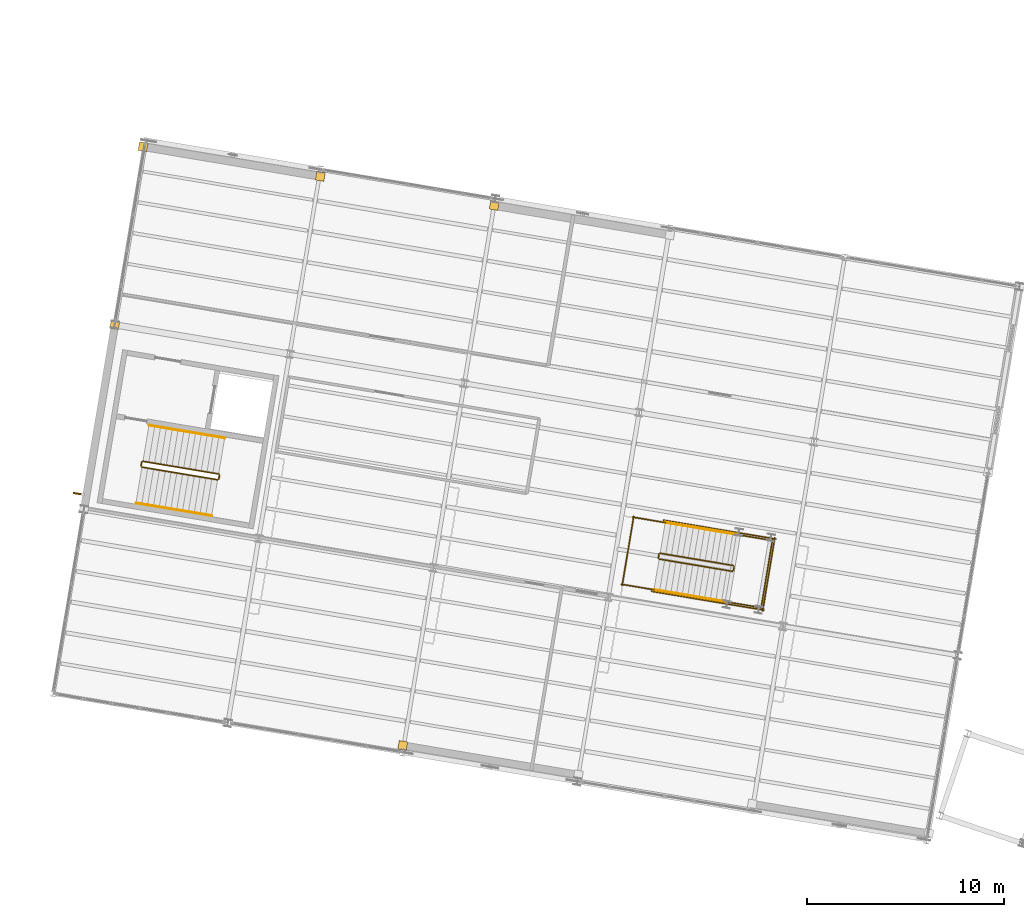
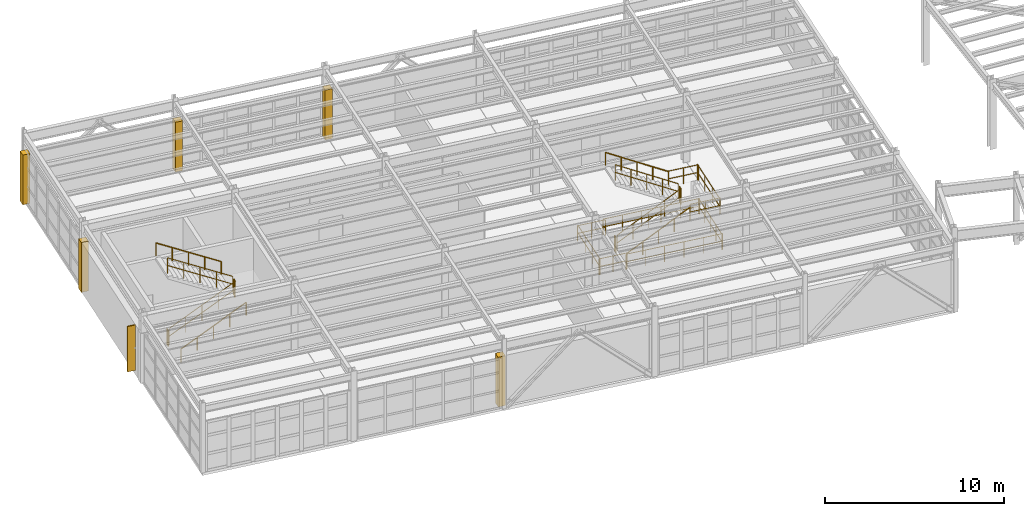
# One storey, part 106 of 109: 21 railings, 5 coverings, 1 shading device.
"""IFC4 building model written with IfcOpenShell, lengths in metres."""

import ifcopenshell
import ifcopenshell.guid

model = None  # the IFC model being written
_history = None  # IfcOwnerHistory: only IFC2X3 demands one
_inside = {}  # id of a spatial element -> (the spatial element, [elements in it])
_under = {}  # id of a project, library or spatial element -> (it, [spatial elements below it])
_declared = {}  # id of a project -> (the project, [libraries it declares])
_typed = {}  # id of a type object -> (the type object, [elements of that type])
_made_of = {}  # id of a material, layer set ... -> (it, [elements and type objects made of it])


def new_model(schema):
    """Start an empty IFC model of exactly this schema.

    Asked for "IFC4X3", IfcOpenShell would pick the latest addendum, in which some entities
    have other attributes; the version numbers below select the first issue.
    IFC2X3 requires an IfcOwnerHistory on every rooted entity: one is made here for all.
    """
    global model, _history
    if schema == "IFC4X3":
        model = ifcopenshell.file(schema_version=(4, 3, 0, 0))
    else:
        model = ifcopenshell.file(schema=schema)
    _inside.clear()
    _under.clear()
    _declared.clear()
    _typed.clear()
    _made_of.clear()
    _history = None
    if model.schema == "IFC2X3":
        org = make("IfcOrganization", Name="unknown")
        user = make(
            "IfcPersonAndOrganization",
            ThePerson=make("IfcPerson", FamilyName="unknown"),
            TheOrganization=org,
        )
        app = make(
            "IfcApplication",
            ApplicationDeveloper=org,
            Version="unknown",
            ApplicationFullName="unknown",
            ApplicationIdentifier="unknown",
        )
        _history = make(
            "IfcOwnerHistory",
            OwningUser=user,
            OwningApplication=app,
            ChangeAction="ADDED",
            CreationDate=0,
        )
    return model


def make(cls, **values):
    """One entity of the class cls with the attributes given. An attribute that is None is left unset."""
    return model.create_entity(
        cls, **{name: value for name, value in values.items() if value is not None}
    )


def rooted(cls, **values):
    """An entity with a GlobalId (a new one), such as an element, a storey or a relation."""
    return make(cls, GlobalId=ifcopenshell.guid.new(), OwnerHistory=_history, **values)


def si_unit(unit_type, name, prefix=None):
    """IfcSIUnit, for example si_unit("LENGTHUNIT", "METRE", prefix="MILLI")."""
    return make("IfcSIUnit", UnitType=unit_type, Prefix=prefix, Name=name)


def assignment(units):
    """IfcUnitAssignment: the units of a project."""
    return None if units is None else make("IfcUnitAssignment", Units=units)


def point(xyz):
    """IfcCartesianPoint."""
    return None if xyz is None else make("IfcCartesianPoint", Coordinates=xyz)


def direction(xyz):
    """IfcDirection."""
    return None if xyz is None else make("IfcDirection", DirectionRatios=xyz)


def frame(location, z_axis=None, x_axis=None):
    """IfcAxis2Placement3D, a coordinate frame: its origin and axes. An axis left out is left unset."""
    return make(
        "IfcAxis2Placement3D",
        Location=point(location),
        Axis=direction(z_axis),
        RefDirection=direction(x_axis),
    )


def frame_2d(location, x_axis=None):
    """IfcAxis2Placement2D, a coordinate frame in the plane: its origin and x axis."""
    return make(
        "IfcAxis2Placement2D", Location=point(location), RefDirection=direction(x_axis)
    )


def origin():
    """The frame at (0, 0, 0) with its axes left unset."""
    return frame((0.0, 0.0, 0.0))


def origin_2d():
    """The frame at (0, 0) in the plane with its x axis left unset."""
    return frame_2d((0.0, 0.0))


def place(relative_to, where):
    """IfcLocalPlacement: puts the frame where relative to a parent placement (None: the world)."""
    return make(
        "IfcLocalPlacement", PlacementRelTo=relative_to, RelativePlacement=where
    )


def context(
    kind, dimensions, precision=None, world=None, true_north=None, identifier=None
):
    """IfcGeometricRepresentationContext, for example the 3D "Model" context."""
    return make(
        "IfcGeometricRepresentationContext",
        ContextIdentifier=identifier,
        ContextType=kind,
        CoordinateSpaceDimension=dimensions,
        Precision=precision,
        WorldCoordinateSystem=world,
        TrueNorth=true_north,
    )


def subcontext(parent, identifier, kind, view, scale=None):
    """IfcGeometricRepresentationSubContext, for example "Body" below "Model"."""
    return make(
        "IfcGeometricRepresentationSubContext",
        ContextIdentifier=identifier,
        ContextType=kind,
        ParentContext=parent,
        TargetScale=scale,
        TargetView=view,
    )


def project(units=None, contexts=None):
    """IfcProject with its units and contexts."""
    return rooted(
        "IfcProject",
        Name="project",
        RepresentationContexts=contexts,
        UnitsInContext=assignment(units),
    )


def spatial(cls, under=None, at=None, **own):
    """A site, building, storey or space (cls), placed at a placement, below another one or the project."""
    s = rooted(cls, ObjectPlacement=at, **own)
    if under is not None:
        _under.setdefault(under.id(), (under, []))[1].append(s)
    return s


def profile(cls, at=None, kind="AREA", **sizes):
    """A parametric profile (cls). Its sizes go by their IFC names, for example OverallWidth=200.0."""
    return make(cls, ProfileType=kind, Position=at, **sizes)


def rectangle(**sizes):
    """IfcRectangleProfileDef."""
    return profile("IfcRectangleProfileDef", **sizes)


def circle(**sizes):
    """IfcCircleProfileDef."""
    return profile("IfcCircleProfileDef", **sizes)


def extrude(swept, where, along, depth):
    """IfcExtrudedAreaSolid: the profile swept, set in the frame where, extruded along a direction by depth."""
    return make(
        "IfcExtrudedAreaSolid",
        SweptArea=swept,
        Position=where,
        ExtrudedDirection=direction(along),
        Depth=depth,
    )


def shape(context_of_items, identifier, shape_type, items):
    """IfcShapeRepresentation: the items that make up one representation, for example the "Body"."""
    return make(
        "IfcShapeRepresentation",
        ContextOfItems=context_of_items,
        RepresentationIdentifier=identifier,
        RepresentationType=shape_type,
        Items=items,
    )


def material(Name=None, Category=None):
    """IfcMaterial."""
    return make("IfcMaterial", Name=Name, Category=Category)


def layer(
    of_material, thickness, ventilated=None, Name=None, Category=None, Priority=None
):
    """IfcMaterialLayer: one layer of a wall or slab, of a material (None: an air gap)."""
    return make(
        "IfcMaterialLayer",
        Material=of_material,
        LayerThickness=thickness,
        IsVentilated=ventilated,
        Name=Name,
        Category=Category,
        Priority=Priority,
    )


def layer_set(layers, Name=None):
    """IfcMaterialLayerSet."""
    return make("IfcMaterialLayerSet", MaterialLayers=layers, LayerSetName=Name)


def made_of(thing, what):
    """Note that an element or type object is made of a material, layer set ...; save() writes the relation."""
    if what is not None:
        _made_of.setdefault(what.id(), (what, []))[1].append(thing)
    return thing


def type_object(cls, material=None, **own):
    """A type object (cls), such as IfcWallType, which elements share."""
    return made_of(rooted(cls, **own), material)


def element(
    cls,
    number,
    at=None,
    inside=None,
    cuts=None,
    type_object=None,
    material=None,
    context=None,
    identifier="Body",
    shape_type=None,
    held_by="IfcProductDefinitionShape",
    body=None,
    shapes=None,
    **own,
):
    """One element of the class cls, such as IfcWall. Its Tag is "e" and its number.

    at: its placement. inside: the storey or other place that contains it. cuts: it is an
    opening in that element (IfcRelVoidsElement). A single representation is given by context,
    identifier, shape_type and body (its items); several are given by shapes. held_by: the class
    of the entity that holds the representations. save() writes the other relations.
    """
    e = rooted(cls, Tag="e%d" % number, ObjectPlacement=at, **own)
    if body is not None:
        shapes = [shape(context, identifier, shape_type, body)]
    if shapes is not None:
        e.Representation = make(held_by, Representations=shapes)
    if inside is not None:
        _inside.setdefault(inside.id(), (inside, []))[1].append(e)
    if cuts is not None:
        rooted(
            "IfcRelVoidsElement", RelatingBuildingElement=cuts, RelatedOpeningElement=e
        )
    if type_object is not None:
        _typed.setdefault(type_object.id(), (type_object, []))[1].append(e)
    return made_of(e, material)


def aggregate(whole, parts):
    """IfcRelAggregates: a whole, such as a stair, and the parts it consists of."""
    return rooted("IfcRelAggregates", RelatingObject=whole, RelatedObjects=parts)


def save(model, path):
    """Write the relations noted so far, then the file.

    IfcRelAggregates (storeys below a building ...), IfcRelContainedInSpatialStructure (elements
    in a storey), IfcRelDefinesByType, IfcRelAssociatesMaterial and IfcRelDeclares: one each for
    every whole, place, type object, material and project.
    """
    for whole, parts in _under.values():
        aggregate(whole, parts)
    for where, things in _inside.values():
        rooted(
            "IfcRelContainedInSpatialStructure",
            RelatedElements=things,
            RelatingStructure=where,
        )
    for kind, things in _typed.values():
        rooted("IfcRelDefinesByType", RelatedObjects=things, RelatingType=kind)
    for what, things in _made_of.values():
        rooted("IfcRelAssociatesMaterial", RelatedObjects=things, RelatingMaterial=what)
    for by, libraries in _declared.values():
        rooted("IfcRelDeclares", RelatingContext=by, RelatedDefinitions=libraries)
    model.write(path)


model = new_model("IFC4")

# Units and contexts
model_context = context("Model", 3, precision=1e-05, world=origin(), true_north=direction((0.0, 1.0)))
body_context = subcontext(model_context, "Body", "Model", "MODEL_VIEW")
ifc_project = project(units=[si_unit("LENGTHUNIT", "METRE"), si_unit("AREAUNIT", "SQUARE_METRE"), si_unit("VOLUMEUNIT", "CUBIC_METRE"), si_unit("PLANEANGLEUNIT", "RADIAN"), si_unit("MASSUNIT", "GRAM", prefix="KILO")], contexts=[model_context])

# Site, building, storey
site_placement = place(None, origin())
site = spatial("IfcSite", under=ifc_project, at=site_placement, CompositionType="ELEMENT")
building_placement = place(site_placement, origin())
building = spatial("IfcBuilding", under=site, at=building_placement, Name="Vireo Bluff Cable Station", CompositionType="ELEMENT")
storey_placement = place(building_placement, frame((0.0, 0.0, 4.800048828125)))
storey = spatial("IfcBuildingStorey", under=building, at=storey_placement, Name="L01", CompositionType="ELEMENT", Elevation=4.800048828125)

# Coverings
ifc_material_1 = material(Name="Precast concrete f'c 45 MPa", Category="concrete")
ifc_layer = layer(ifc_material_1, 0.0400390625, Name="Precast concrete f'c 45 MPa")
ifc_layer_set = layer_set([ifc_layer], Name="Precast concrete f'c 45 MPa")
covering_type = type_object("IfcCoveringType", Name="COL-CLOSURE-WRAP", PredefinedType="CLADDING", material=ifc_layer_set)
for number, where, z_axis, x_axis, name in (
    (1, (23.260498046875, 68.87255859375, 0.0), (0.0, 0.0, 1.0), (0.986285601537, -0.165047605861, 0.0), "V4 L01 column pocket closure"),
    (2, (8.635498046875, 90.237548828125, 0.0), (0.0, 0.0, 1.0), (0.986285601537, -0.165047605861, 0.0), "V4 L01 column pocket closure"),
    (3, (10.07275390625, 99.286376953125, 0.0), (0.0, 0.0, 1.0), (0.986285601537, -0.165047605861, 0.0), "V4 L01 column pocket closure"),
    (4, (19.0732421875, 97.7802734375, 0.0), (0.0, 0.0, 1.0), (0.986285601537, -0.165047605861, 0.0), "V4 L01 column pocket closure"),
    (5, (27.90771484375, 96.3017578125, 0.0), (0.0, 0.0, 1.0), (0.986285601537, -0.165047605861, 0.0), "V4 L01 column pocket closure"),
):
    element("IfcCovering", number, at=place(storey_placement, frame(where, z_axis=z_axis, x_axis=x_axis)), inside=storey, type_object=covering_type, Name=name, PredefinedType="CLADDING", context=body_context, shape_type="SweptSolid", body=[
        extrude(rectangle(XDim=0.43994140625, YDim=0.43994140625, at=origin_2d()), origin(), (0.0, 0.0, 1.0), 3.39990234375),
    ])

# Shading device
ifc_material_2 = material(Name="Extruded Terracotta Solar Fin", Category="masonry")
shading_device_type = type_object("IfcShadingDeviceType", Name="SOLARFIN-480X3100", PredefinedType="SHUTTER", material=ifc_material_2)
shading_device_placement = place(storey_placement, frame((6.7646484375, 81.66259765625, 0.2998046875), z_axis=(0.0, 0.0, 1.0), x_axis=(0.165047618169, 0.986285599478, 0.0)))
element("IfcShadingDevice", 6, at=shading_device_placement, inside=storey, type_object=shading_device_type, Name="V4 L01 solar brise-soleil fin 28", PredefinedType="SHUTTER", context=body_context, shape_type="SweptSolid", body=[
    extrude(rectangle(XDim=0.080078125, YDim=0.47998046875, at=origin_2d()), origin(), (0.0, 0.0, 1.0), 3.10009765625),
])

# Railings
ifc_material_3 = material(Name="Stainless Steel 316", Category="steel")
railing_type_1 = type_object("IfcRailingType", Name="STAIR-GUARD-1100", PredefinedType="GUARDRAIL", material=ifc_material_3)
railing_1_placement = place(storey_placement, frame((10.01220703125, 83.01318359375, 0.17138671875)))
element("IfcRailing", 7, at=railing_1_placement, inside=storey, type_object=railing_type_1, Name="L01 ST-03 stair guard 1", PredefinedType="GUARDRAIL", context=body_context, shape_type="SweptSolid", body=[
    extrude(circle(Radius=0.02392578125, at=origin_2d()), frame((0.0, 0.0, 1.076171875), z_axis=(0.856333247145, -0.143329150919, 0.496135187556), x_axis=(0.165079100715, 0.986280330589, 0.0)), (0.0, 0.0, 1.0), 4.49169921875),
    extrude(circle(Radius=0.02392578125, at=origin_2d()), frame((0.0, 0.0, 0.550048828125), z_axis=(0.856333247145, -0.143329150919, 0.496135187556), x_axis=(0.165079100715, 0.986280330589, 0.0)), (0.0, 0.0, 1.0), 4.49169921875),
    extrude(circle(Radius=0.02099609375, at=origin_2d()), origin(), (0.0, 0.0, 1.0), 1.052001953125),
    extrude(circle(Radius=0.02099609375, at=origin_2d()), frame((0.961669921875, -0.160888671875, 0.55712890625)), (0.0, 0.0, 1.0), 1.052001953125),
    extrude(circle(Radius=0.02099609375, at=origin_2d()), frame((1.92333984375, -0.32177734375, 1.1142578125)), (0.0, 0.0, 1.0), 1.052001953125),
    extrude(circle(Radius=0.02099609375, at=origin_2d()), frame((2.884765625, -0.48291015625, 1.67138671875)), (0.0, 0.0, 1.0), 1.052001953125),
    extrude(circle(Radius=0.02099609375, at=origin_2d()), frame((3.846435546875, -0.643798828125, 2.228515625)), (0.0, 0.0, 1.0), 1.052001953125),
])
railing_2_placement = place(storey_placement, frame((13.916259765625, 82.41064453125, 2.39990234375)))
element("IfcRailing", 8, at=railing_2_placement, inside=storey, type_object=railing_type_1, Name="L01 ST-03 stair guard 2", PredefinedType="GUARDRAIL", context=body_context, shape_type="SweptSolid", body=[
    extrude(circle(Radius=0.02392578125, at=origin_2d()), frame((0.0, 0.0, 1.076171875), z_axis=(0.164794877674, 0.986327860446, 0.0), x_axis=(-0.986327860446, 0.164794877674, 0.0)), (0.0, 0.0, 1.0), 0.199951171875),
    extrude(circle(Radius=0.02392578125, at=origin_2d()), frame((0.0, 0.0, 0.550048828125), z_axis=(0.164794877674, 0.986327860446, 0.0), x_axis=(-0.986327860446, 0.164794877674, 0.0)), (0.0, 0.0, 1.0), 0.199951171875),
    extrude(circle(Radius=0.02099609375, at=origin_2d()), origin(), (0.0, 0.0, 1.0), 1.052001953125),
    extrude(circle(Radius=0.02099609375, at=origin_2d()), frame((0.032958984375, 0.197265625, 0.0)), (0.0, 0.0, 1.0), 1.052001953125),
])
railing_3_placement = place(storey_placement, frame((13.908203125, 82.665283203125, 2.5712890625)))
element("IfcRailing", 9, at=railing_3_placement, inside=storey, type_object=railing_type_1, Name="L01 ST-03 stair guard 3", PredefinedType="GUARDRAIL", context=body_context, shape_type="SweptSolid", body=[
    extrude(circle(Radius=0.02392578125, at=origin_2d()), frame((0.0, 0.0, 1.076171875), z_axis=(-0.856324650873, 0.143318615407, 0.496153067899), x_axis=(-0.165068908983, -0.986282036381, 0.0)), (0.0, 0.0, 1.0), 4.4921875),
    extrude(circle(Radius=0.02392578125, at=origin_2d()), frame((0.0, 0.0, 0.550048828125), z_axis=(-0.856324650873, 0.143318615407, 0.496153067899), x_axis=(-0.165068908983, -0.986282036381, 0.0)), (0.0, 0.0, 1.0), 4.4921875),
    extrude(circle(Radius=0.02099609375, at=origin_2d()), origin(), (0.0, 0.0, 1.0), 1.052001953125),
    extrude(circle(Radius=0.02099609375, at=origin_2d()), frame((-0.961669921875, 0.160888671875, 0.55712890625)), (0.0, 0.0, 1.0), 1.052001953125),
    extrude(circle(Radius=0.02099609375, at=origin_2d()), frame((-1.92333984375, 0.32177734375, 1.1142578125)), (0.0, 0.0, 1.0), 1.052001953125),
    extrude(circle(Radius=0.02099609375, at=origin_2d()), frame((-2.885009765625, 0.48291015625, 1.671630859375)), (0.0, 0.0, 1.0), 1.052001953125),
    extrude(circle(Radius=0.02099609375, at=origin_2d()), frame((-3.8466796875, 0.643798828125, 2.228759765625)), (0.0, 0.0, 1.0), 1.052001953125),
])
railing_4_placement = place(storey_placement, frame((9.970947265625, 83.07080078125, 0.0)))
element("IfcRailing", 10, at=railing_4_placement, inside=storey, type_object=railing_type_1, Name="L01 ST-03 stair guard 4", PredefinedType="GUARDRAIL", context=body_context, shape_type="SweptSolid", body=[
    extrude(circle(Radius=0.02392578125, at=origin_2d()), frame((0.0, 0.0, 1.076171875), z_axis=(0.16598207031, 0.986128770666, 0.0), x_axis=(-0.986128770666, 0.16598207031, 0.0)), (0.0, 0.0, 1.0), 0.199951171875),
    extrude(circle(Radius=0.02392578125, at=origin_2d()), frame((0.0, 0.0, 0.550048828125), z_axis=(0.16598207031, 0.986128770666, 0.0), x_axis=(-0.986128770666, 0.16598207031, 0.0)), (0.0, 0.0, 1.0), 0.199951171875),
    extrude(circle(Radius=0.02099609375, at=origin_2d()), origin(), (0.0, 0.0, 1.0), 1.052001953125),
    extrude(circle(Radius=0.02099609375, at=origin_2d()), frame((0.033203125, 0.197265625, 0.0)), (0.0, 0.0, 1.0), 1.052001953125),
])
railing_5_placement = place(storey_placement, frame((36.28173828125, 78.343505859375, 0.17138671875)))
element("IfcRailing", 11, at=railing_5_placement, inside=storey, type_object=railing_type_1, Name="L01 ST-08 stair guard 1", PredefinedType="GUARDRAIL", context=body_context, shape_type="SweptSolid", body=[
    extrude(circle(Radius=0.02392578125, at=origin_2d()), frame((0.0, 0.0, 1.076171875), z_axis=(0.849037096041, -0.142100824544, 0.508864780871), x_axis=(0.165071043986, 0.986281679054, 0.0)), (0.0, 0.0, 1.0), 4.37939453125),
    extrude(circle(Radius=0.02392578125, at=origin_2d()), frame((0.0, 0.0, 0.550048828125), z_axis=(0.849037096041, -0.142100824544, 0.508864780871), x_axis=(0.165071043986, 0.986281679054, 0.0)), (0.0, 0.0, 1.0), 4.37939453125),
    extrude(circle(Radius=0.02099609375, at=origin_2d()), origin(), (0.0, 0.0, 1.0), 1.052001953125),
    extrude(circle(Radius=0.02099609375, at=origin_2d()), frame((0.9296875, -0.155517578125, 0.55712890625)), (0.0, 0.0, 1.0), 1.052001953125),
    extrude(circle(Radius=0.02099609375, at=origin_2d()), frame((1.859130859375, -0.31103515625, 1.1142578125)), (0.0, 0.0, 1.0), 1.052001953125),
    extrude(circle(Radius=0.02099609375, at=origin_2d()), frame((2.78857421875, -0.466796875, 1.67138671875)), (0.0, 0.0, 1.0), 1.052001953125),
    extrude(circle(Radius=0.02099609375, at=origin_2d()), frame((3.71826171875, -0.622314453125, 2.228515625)), (0.0, 0.0, 1.0), 1.052001953125),
])
railing_6_placement = place(storey_placement, frame((40.0576171875, 77.76220703125, 2.39990234375)))
element("IfcRailing", 12, at=railing_6_placement, inside=storey, type_object=railing_type_1, Name="L01 ST-08 stair guard 2", PredefinedType="GUARDRAIL", context=body_context, shape_type="SweptSolid", body=[
    extrude(circle(Radius=0.02392578125, at=origin_2d()), frame((0.0, 0.0, 1.076171875), z_axis=(0.164794877674, 0.986327860446, 0.0), x_axis=(-0.986327860446, 0.164794877674, 0.0)), (0.0, 0.0, 1.0), 0.199951171875),
    extrude(circle(Radius=0.02392578125, at=origin_2d()), frame((0.0, 0.0, 0.550048828125), z_axis=(0.164794877674, 0.986327860446, 0.0), x_axis=(-0.986327860446, 0.164794877674, 0.0)), (0.0, 0.0, 1.0), 0.199951171875),
    extrude(circle(Radius=0.02099609375, at=origin_2d()), origin(), (0.0, 0.0, 1.0), 1.052001953125),
    extrude(circle(Radius=0.02099609375, at=origin_2d()), frame((0.032958984375, 0.197265625, 0.0)), (0.0, 0.0, 1.0), 1.052001953125),
])
for number, where, name in (
    (13, (39.7392578125, 76.162841796875, 2.39990234375), "L01 ST-08 stair guard 3"),
    (14, (40.310302734375, 79.575439453125, 2.39990234375), "L01 ST-08 stair guard 4"),
):
    element("IfcRailing", number, at=place(storey_placement, frame(where)), inside=storey, type_object=railing_type_1, Name=name, PredefinedType="GUARDRAIL", context=body_context, shape_type="SweptSolid", body=[
        extrude(circle(Radius=0.02392578125, at=origin_2d()), frame((0.0, 0.0, 1.076171875), z_axis=(0.986280039017, -0.165080842729, 0.0), x_axis=(0.165080842729, 0.986280039017, 0.0)), (0.0, 0.0, 1.0), 1.7998046875),
        extrude(circle(Radius=0.02392578125, at=origin_2d()), frame((0.0, 0.0, 0.550048828125), z_axis=(0.986280039017, -0.165080842729, 0.0), x_axis=(0.165080842729, 0.986280039017, 0.0)), (0.0, 0.0, 1.0), 1.7998046875),
        extrude(circle(Radius=0.02099609375, at=origin_2d()), origin(), (0.0, 0.0, 1.0), 1.052001953125),
        extrude(circle(Radius=0.02099609375, at=origin_2d()), frame((0.8876953125, -0.1484375, 0.0)), (0.0, 0.0, 1.0), 1.052001953125),
        extrude(circle(Radius=0.02099609375, at=origin_2d()), frame((1.775146484375, -0.297119140625, 0.0)), (0.0, 0.0, 1.0), 1.052001953125),
    ])
railing_7_placement = place(storey_placement, frame((41.45703125, 75.82470703125, 2.39990234375)))
element("IfcRailing", 15, at=railing_7_placement, inside=storey, type_object=railing_type_1, Name="L01 ST-08 stair guard 5", PredefinedType="GUARDRAIL", context=body_context, shape_type="SweptSolid", body=[
    extrude(circle(Radius=0.02392578125, at=origin_2d()), frame((0.0, 0.0, 1.076171875), z_axis=(0.164999480661, 0.986293653727, 0.0), x_axis=(-0.986293653727, 0.164999480661, 0.0)), (0.0, 0.0, 1.0), 3.56005859375),
    extrude(circle(Radius=0.02392578125, at=origin_2d()), frame((0.0, 0.0, 0.550048828125), z_axis=(0.164999480661, 0.986293653727, 0.0), x_axis=(-0.986293653727, 0.164999480661, 0.0)), (0.0, 0.0, 1.0), 3.56005859375),
    extrude(circle(Radius=0.02099609375, at=origin_2d()), origin(), (0.0, 0.0, 1.0), 1.052001953125),
    extrude(circle(Radius=0.02099609375, at=origin_2d()), frame((0.19580078125, 1.17041015625, 0.0)), (0.0, 0.0, 1.0), 1.052001953125),
    extrude(circle(Radius=0.02099609375, at=origin_2d()), frame((0.3916015625, 2.3408203125, 0.0)), (0.0, 0.0, 1.0), 1.052001953125),
    extrude(circle(Radius=0.02099609375, at=origin_2d()), frame((0.58740234375, 3.51123046875, 0.0)), (0.0, 0.0, 1.0), 1.052001953125),
])
railing_8_placement = place(storey_placement, frame((40.049560546875, 78.01708984375, 2.5712890625)))
element("IfcRailing", 16, at=railing_8_placement, inside=storey, type_object=railing_type_1, Name="L01 ST-08 stair guard 6", PredefinedType="GUARDRAIL", context=body_context, shape_type="SweptSolid", body=[
    extrude(circle(Radius=0.02392578125, at=origin_2d()), frame((0.0, 0.0, 1.076171875), z_axis=(-0.849028572155, 0.14209006831, 0.508882006119), x_axis=(-0.165060501438, -0.986283443471, 0.0)), (0.0, 0.0, 1.0), 4.379638671875),
    extrude(circle(Radius=0.02392578125, at=origin_2d()), frame((0.0, 0.0, 0.550048828125), z_axis=(-0.849028572155, 0.14209006831, 0.508882006119), x_axis=(-0.165060501438, -0.986283443471, 0.0)), (0.0, 0.0, 1.0), 4.379638671875),
    extrude(circle(Radius=0.02099609375, at=origin_2d()), origin(), (0.0, 0.0, 1.0), 1.052001953125),
    extrude(circle(Radius=0.02099609375, at=origin_2d()), frame((-0.9296875, 0.155517578125, 0.55712890625)), (0.0, 0.0, 1.0), 1.052001953125),
    extrude(circle(Radius=0.02099609375, at=origin_2d()), frame((-1.859375, 0.31103515625, 1.1142578125)), (0.0, 0.0, 1.0), 1.052001953125),
    extrude(circle(Radius=0.02099609375, at=origin_2d()), frame((-2.788818359375, 0.466796875, 1.671630859375)), (0.0, 0.0, 1.0), 1.052001953125),
    extrude(circle(Radius=0.02099609375, at=origin_2d()), frame((-3.718505859375, 0.622314453125, 2.228759765625)), (0.0, 0.0, 1.0), 1.052001953125),
])
railing_9_placement = place(storey_placement, frame((36.240478515625, 78.40087890625, 0.0)))
element("IfcRailing", 17, at=railing_9_placement, inside=storey, type_object=railing_type_1, Name="L01 ST-08 stair guard 7", PredefinedType="GUARDRAIL", context=body_context, shape_type="SweptSolid", body=[
    extrude(circle(Radius=0.02392578125, at=origin_2d()), frame((0.0, 0.0, 1.076171875), z_axis=(0.16598207031, 0.986128770666, 0.0), x_axis=(-0.986128770666, 0.16598207031, 0.0)), (0.0, 0.0, 1.0), 0.199951171875),
    extrude(circle(Radius=0.02392578125, at=origin_2d()), frame((0.0, 0.0, 0.550048828125), z_axis=(0.16598207031, 0.986128770666, 0.0), x_axis=(-0.986128770666, 0.16598207031, 0.0)), (0.0, 0.0, 1.0), 0.199951171875),
    extrude(circle(Radius=0.02099609375, at=origin_2d()), origin(), (0.0, 0.0, 1.0), 1.052001953125),
    extrude(circle(Radius=0.02099609375, at=origin_2d()), frame((0.033203125, 0.197265625, 0.0)), (0.0, 0.0, 1.0), 1.052001953125),
])
railing_10_placement = place(storey_placement, frame((34.364013671875, 77.062255859375, 0.0)))
element("IfcRailing", 18, at=railing_10_placement, inside=storey, type_object=railing_type_1, Name="L01 ST-08 stair guard 8", PredefinedType="GUARDRAIL", context=body_context, shape_type="SweptSolid", body=[
    extrude(circle(Radius=0.02392578125, at=origin_2d()), frame((0.0, 0.0, 1.076171875), z_axis=(0.986299484919, -0.164964620599, 0.0), x_axis=(0.164964620599, 0.986299484919, 0.0)), (0.0, 0.0, 1.0), 1.6796875),
    extrude(circle(Radius=0.02392578125, at=origin_2d()), frame((0.0, 0.0, 0.550048828125), z_axis=(0.986299484919, -0.164964620599, 0.0), x_axis=(0.164964620599, 0.986299484919, 0.0)), (0.0, 0.0, 1.0), 1.6796875),
    extrude(circle(Radius=0.02099609375, at=origin_2d()), origin(), (0.0, 0.0, 1.0), 1.052001953125),
    extrude(circle(Radius=0.02099609375, at=origin_2d()), frame((0.828369140625, -0.138671875, 0.0)), (0.0, 0.0, 1.0), 1.052001953125),
    extrude(circle(Radius=0.02099609375, at=origin_2d()), frame((1.65673828125, -0.277099609375, 0.0)), (0.0, 0.0, 1.0), 1.052001953125),
])
railing_11_placement = place(storey_placement, frame((34.93505859375, 80.474853515625, 0.0)))
element("IfcRailing", 19, at=railing_11_placement, inside=storey, type_object=railing_type_1, Name="L01 ST-08 stair guard 9", PredefinedType="GUARDRAIL", context=body_context, shape_type="SweptSolid", body=[
    extrude(circle(Radius=0.02392578125, at=origin_2d()), frame((0.0, 0.0, 1.076171875), z_axis=(0.986303439342, -0.164940975932, 0.0), x_axis=(0.164940975932, 0.986303439342, 0.0)), (0.0, 0.0, 1.0), 1.679931640625),
    extrude(circle(Radius=0.02392578125, at=origin_2d()), frame((0.0, 0.0, 0.550048828125), z_axis=(0.986303439342, -0.164940975932, 0.0), x_axis=(0.164940975932, 0.986303439342, 0.0)), (0.0, 0.0, 1.0), 1.679931640625),
    extrude(circle(Radius=0.02099609375, at=origin_2d()), origin(), (0.0, 0.0, 1.0), 1.052001953125),
    extrude(circle(Radius=0.02099609375, at=origin_2d()), frame((0.82861328125, -0.138671875, 0.0)), (0.0, 0.0, 1.0), 1.052001953125),
    extrude(circle(Radius=0.02099609375, at=origin_2d()), frame((1.656982421875, -0.277099609375, 0.0)), (0.0, 0.0, 1.0), 1.052001953125),
])
railing_12_placement = place(storey_placement, frame((34.405029296875, 77.0048828125, 0.0)))
element("IfcRailing", 20, at=railing_12_placement, inside=storey, type_object=railing_type_1, Name="L01 ST-08 stair guard 10", PredefinedType="GUARDRAIL", context=body_context, shape_type="SweptSolid", body=[
    extrude(circle(Radius=0.02392578125, at=origin_2d()), frame((0.0, 0.0, 1.076171875), z_axis=(0.165010641703, 0.986291786504, 0.0), x_axis=(-0.986291786504, 0.165010641703, 0.0)), (0.0, 0.0, 1.0), 3.559814453125),
    extrude(circle(Radius=0.02392578125, at=origin_2d()), frame((0.0, 0.0, 0.550048828125), z_axis=(0.165010641703, 0.986291786504, 0.0), x_axis=(-0.986291786504, 0.165010641703, 0.0)), (0.0, 0.0, 1.0), 3.559814453125),
    extrude(circle(Radius=0.02099609375, at=origin_2d()), origin(), (0.0, 0.0, 1.0), 1.052001953125),
    extrude(circle(Radius=0.02099609375, at=origin_2d()), frame((0.19580078125, 1.17041015625, 0.0)), (0.0, 0.0, 1.0), 1.052001953125),
    extrude(circle(Radius=0.02099609375, at=origin_2d()), frame((0.3916015625, 2.340576171875, 0.0)), (0.0, 0.0, 1.0), 1.052001953125),
    extrude(circle(Radius=0.02099609375, at=origin_2d()), frame((0.58740234375, 3.510986328125, 0.0)), (0.0, 0.0, 1.0), 1.052001953125),
])
railing_13_placement = place(storey_placement, frame((35.90576171875, 76.702880859375, 0.0)))
element("IfcRailing", 21, at=railing_13_placement, inside=storey, type_object=railing_type_1, Name="L01 ST-08 stair guard 11", PredefinedType="GUARDRAIL", context=body_context, shape_type="SweptSolid", body=[
    extrude(circle(Radius=0.02392578125, at=origin_2d()), frame((0.0, 0.0, 1.076171875), z_axis=(0.986290809652, -0.165016480379, 0.0), x_axis=(0.165016480379, 0.986290809652, 0.0)), (0.0, 0.0, 1.0), 5.77001953125),
    extrude(circle(Radius=0.02392578125, at=origin_2d()), frame((0.0, 0.0, 0.550048828125), z_axis=(0.986290809652, -0.165016480379, 0.0), x_axis=(0.165016480379, 0.986290809652, 0.0)), (0.0, 0.0, 1.0), 5.77001953125),
    extrude(circle(Radius=0.02099609375, at=origin_2d()), origin(), (0.0, 0.0, 1.0), 1.052001953125),
    extrude(circle(Radius=0.02099609375, at=origin_2d()), frame((1.13818359375, -0.1904296875, 0.0)), (0.0, 0.0, 1.0), 1.052001953125),
    extrude(circle(Radius=0.02099609375, at=origin_2d()), frame((2.2763671875, -0.380859375, 0.0)), (0.0, 0.0, 1.0), 1.052001953125),
    extrude(circle(Radius=0.02099609375, at=origin_2d()), frame((3.41455078125, -0.5712890625, 0.0)), (0.0, 0.0, 1.0), 1.052001953125),
    extrude(circle(Radius=0.02099609375, at=origin_2d()), frame((4.552734375, -0.76171875, 0.0)), (0.0, 0.0, 1.0), 1.052001953125),
    extrude(circle(Radius=0.02099609375, at=origin_2d()), frame((5.69091796875, -0.9521484375, 0.0)), (0.0, 0.0, 1.0), 1.052001953125),
])
railing_14_placement = place(storey_placement, frame((36.509765625, 80.312744140625, 0.0)))
element("IfcRailing", 22, at=railing_14_placement, inside=storey, type_object=railing_type_1, Name="L01 ST-08 stair guard 12", PredefinedType="GUARDRAIL", context=body_context, shape_type="SweptSolid", body=[
    extrude(circle(Radius=0.02392578125, at=origin_2d()), frame((0.0, 0.0, 1.076171875), z_axis=(0.986283922397, -0.165057639694, 0.0), x_axis=(0.165057639694, 0.986283922397, 0.0)), (0.0, 0.0, 1.0), 5.77001953125),
    extrude(circle(Radius=0.02392578125, at=origin_2d()), frame((0.0, 0.0, 0.550048828125), z_axis=(0.986283922397, -0.165057639694, 0.0), x_axis=(0.165057639694, 0.986283922397, 0.0)), (0.0, 0.0, 1.0), 5.77001953125),
    extrude(circle(Radius=0.02099609375, at=origin_2d()), origin(), (0.0, 0.0, 1.0), 1.052001953125),
    extrude(circle(Radius=0.02099609375, at=origin_2d()), frame((1.13818359375, -0.1904296875, 0.0)), (0.0, 0.0, 1.0), 1.052001953125),
    extrude(circle(Radius=0.02099609375, at=origin_2d()), frame((2.2763671875, -0.380859375, 0.0)), (0.0, 0.0, 1.0), 1.052001953125),
    extrude(circle(Radius=0.02099609375, at=origin_2d()), frame((3.41455078125, -0.571533203125, 0.0)), (0.0, 0.0, 1.0), 1.052001953125),
    extrude(circle(Radius=0.02099609375, at=origin_2d()), frame((4.552734375, -0.761962890625, 0.0)), (0.0, 0.0, 1.0), 1.052001953125),
    extrude(circle(Radius=0.02099609375, at=origin_2d()), frame((5.69091796875, -0.952392578125, 0.0)), (0.0, 0.0, 1.0), 1.052001953125),
])
railing_15_placement = place(storey_placement, frame((41.5390625, 75.70947265625, 0.0)))
element("IfcRailing", 23, at=railing_15_placement, inside=storey, type_object=railing_type_1, Name="L01 ST-08 stair guard 13", PredefinedType="GUARDRAIL", context=body_context, shape_type="SweptSolid", body=[
    extrude(circle(Radius=0.02392578125, at=origin_2d()), frame((0.0, 0.0, 1.076171875), z_axis=(0.165051759845, 0.98628490639, 0.0), x_axis=(-0.98628490639, 0.165051759845, 0.0)), (0.0, 0.0, 1.0), 3.760009765625),
    extrude(circle(Radius=0.02392578125, at=origin_2d()), frame((0.0, 0.0, 0.550048828125), z_axis=(0.165051759845, 0.98628490639, 0.0), x_axis=(-0.98628490639, 0.165051759845, 0.0)), (0.0, 0.0, 1.0), 3.760009765625),
    extrude(circle(Radius=0.02099609375, at=origin_2d()), origin(), (0.0, 0.0, 1.0), 1.052001953125),
    extrude(circle(Radius=0.02099609375, at=origin_2d()), frame((0.1552734375, 0.92724609375, 0.0)), (0.0, 0.0, 1.0), 1.052001953125),
    extrude(circle(Radius=0.02099609375, at=origin_2d()), frame((0.310302734375, 1.854248046875, 0.0)), (0.0, 0.0, 1.0), 1.052001953125),
    extrude(circle(Radius=0.02099609375, at=origin_2d()), frame((0.46533203125, 2.78125, 0.0)), (0.0, 0.0, 1.0), 1.052001953125),
    extrude(circle(Radius=0.02099609375, at=origin_2d()), frame((0.62060546875, 3.70849609375, 0.0)), (0.0, 0.0, 1.0), 1.052001953125),
])
railing_type_2 = type_object("IfcRailingType", Name="STAIR-HANDRAIL-900", PredefinedType="HANDRAIL", material=ifc_material_3)
railing_16_placement = place(storey_placement, frame((9.706787109375, 81.1884765625, 0.17138671875)))
element("IfcRailing", 24, at=railing_16_placement, inside=storey, type_object=railing_type_2, Name="L01 ST-03 stair handrail 1", PredefinedType="HANDRAIL", context=body_context, shape_type="SweptSolid", body=[
    extrude(circle(Radius=0.02392578125, at=origin_2d()), frame((0.0, 0.0, 0.8759765625), z_axis=(0.856339917124, -0.143275913776, 0.496139051952), x_axis=(0.165018204621, 0.986290521167, 0.0)), (0.0, 0.0, 1.0), 4.49169921875),
    extrude(circle(Radius=0.02099609375, at=origin_2d()), origin(), (0.0, 0.0, 1.0), 0.851806640625),
    extrude(circle(Radius=0.02099609375, at=origin_2d()), frame((0.961669921875, -0.160888671875, 0.55712890625)), (0.0, 0.0, 1.0), 0.851806640625),
    extrude(circle(Radius=0.02099609375, at=origin_2d()), frame((1.92333984375, -0.32177734375, 1.1142578125)), (0.0, 0.0, 1.0), 0.851806640625),
    extrude(circle(Radius=0.02099609375, at=origin_2d()), frame((2.884765625, -0.482666015625, 1.67138671875)), (0.0, 0.0, 1.0), 0.851806640625),
    extrude(circle(Radius=0.02099609375, at=origin_2d()), frame((3.846435546875, -0.6435546875, 2.228515625)), (0.0, 0.0, 1.0), 0.851806640625),
])
railing_17_placement = place(storey_placement, frame((14.21337890625, 84.489990234375, 2.5712890625)))
element("IfcRailing", 25, at=railing_17_placement, inside=storey, type_object=railing_type_2, Name="L01 ST-03 stair handrail 2", PredefinedType="HANDRAIL", context=body_context, shape_type="SweptSolid", body=[
    extrude(circle(Radius=0.02392578125, at=origin_2d()), frame((0.0, 0.0, 0.8759765625), z_axis=(-0.856310154512, 0.143325285779, 0.496176159984), x_axis=(-0.165079100715, -0.986280330589, 0.0)), (0.0, 0.0, 1.0), 4.491943359375),
    extrude(circle(Radius=0.02099609375, at=origin_2d()), origin(), (0.0, 0.0, 1.0), 0.851806640625),
    extrude(circle(Radius=0.02099609375, at=origin_2d()), frame((-0.961669921875, 0.160888671875, 0.55712890625)), (0.0, 0.0, 1.0), 0.851806640625),
    extrude(circle(Radius=0.02099609375, at=origin_2d()), frame((-1.92333984375, 0.32177734375, 1.1142578125)), (0.0, 0.0, 1.0), 0.851806640625),
    extrude(circle(Radius=0.02099609375, at=origin_2d()), frame((-2.884765625, 0.48291015625, 1.671630859375)), (0.0, 0.0, 1.0), 0.851806640625),
    extrude(circle(Radius=0.02099609375, at=origin_2d()), frame((-3.846435546875, 0.643798828125, 2.228759765625)), (0.0, 0.0, 1.0), 0.851806640625),
])
railing_18_placement = place(storey_placement, frame((36.020751953125, 76.78515625, 0.17138671875)))
element("IfcRailing", 26, at=railing_18_placement, inside=storey, type_object=railing_type_2, Name="L01 ST-08 stair handrail 1", PredefinedType="HANDRAIL", context=body_context, shape_type="SweptSolid", body=[
    extrude(circle(Radius=0.02392578125, at=origin_2d()), frame((0.0, 0.0, 0.8759765625), z_axis=(0.84905265612, -0.142094098907, 0.508840696281), x_axis=(0.165060501438, 0.986283443471, 0.0)), (0.0, 0.0, 1.0), 4.379638671875),
    extrude(circle(Radius=0.02099609375, at=origin_2d()), origin(), (0.0, 0.0, 1.0), 0.851806640625),
    extrude(circle(Radius=0.02099609375, at=origin_2d()), frame((0.9296875, -0.155517578125, 0.55712890625)), (0.0, 0.0, 1.0), 0.851806640625),
    extrude(circle(Radius=0.02099609375, at=origin_2d()), frame((1.859375, -0.31103515625, 1.1142578125)), (0.0, 0.0, 1.0), 0.851806640625),
    extrude(circle(Radius=0.02099609375, at=origin_2d()), frame((2.788818359375, -0.466796875, 1.67138671875)), (0.0, 0.0, 1.0), 0.851806640625),
    extrude(circle(Radius=0.02099609375, at=origin_2d()), frame((3.718505859375, -0.622314453125, 2.228515625)), (0.0, 0.0, 1.0), 0.851806640625),
])
railing_19_placement = place(storey_placement, frame((40.310302734375, 79.575439453125, 2.5712890625)))
element("IfcRailing", 27, at=railing_19_placement, inside=storey, type_object=railing_type_2, Name="L01 ST-08 stair handrail 2", PredefinedType="HANDRAIL", context=body_context, shape_type="SweptSolid", body=[
    extrude(circle(Radius=0.02392578125, at=origin_2d()), frame((0.0, 0.0, 0.8759765625), z_axis=(-0.849013010238, 0.142096793375, 0.508906091297), x_axis=(-0.165071043986, -0.986281679054, 0.0)), (0.0, 0.0, 1.0), 4.37939453125),
    extrude(circle(Radius=0.02099609375, at=origin_2d()), origin(), (0.0, 0.0, 1.0), 0.851806640625),
    extrude(circle(Radius=0.02099609375, at=origin_2d()), frame((-0.9296875, 0.155517578125, 0.55712890625)), (0.0, 0.0, 1.0), 0.851806640625),
    extrude(circle(Radius=0.02099609375, at=origin_2d()), frame((-1.859130859375, 0.31103515625, 1.1142578125)), (0.0, 0.0, 1.0), 0.851806640625),
    extrude(circle(Radius=0.02099609375, at=origin_2d()), frame((-2.78857421875, 0.466796875, 1.671630859375)), (0.0, 0.0, 1.0), 0.851806640625),
    extrude(circle(Radius=0.02099609375, at=origin_2d()), frame((-3.71826171875, 0.622314453125, 2.228759765625)), (0.0, 0.0, 1.0), 0.851806640625),
])

save(model, "model.ifc")
